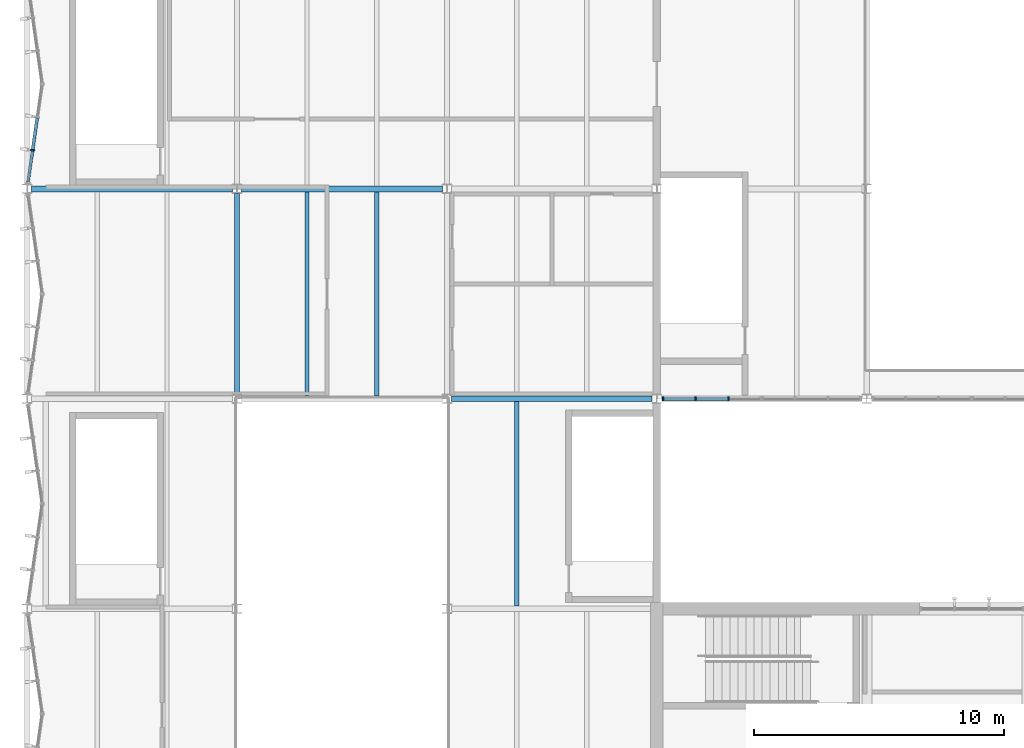
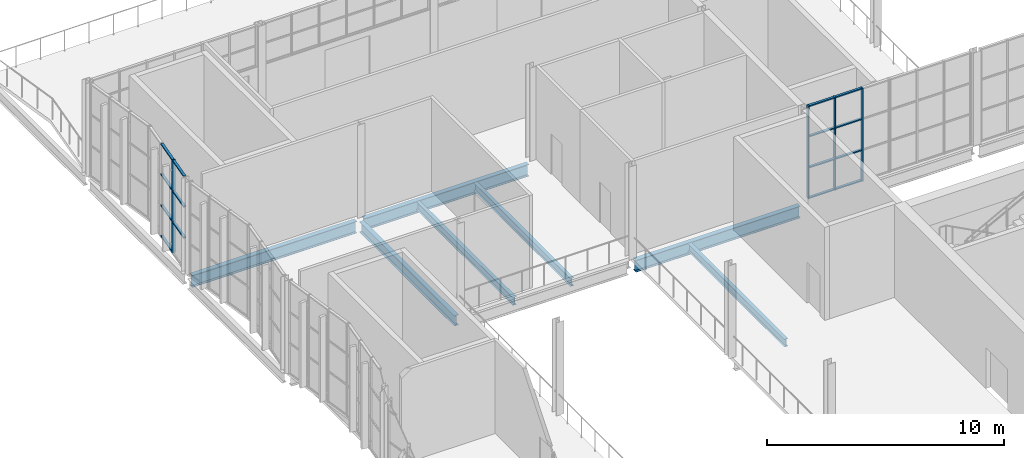
# One storey, part 36 of 116: 19 members, 7 beams, 2 elements without a shape of their own.
"""IFC4 building model written with IfcOpenShell, lengths in metres."""

from ifc_helpers import new_model, si_unit, direction, frame, origin, origin_2d, place, context, subcontext, project, spatial, rectangle, i_section, extrude, material, material_profile, profile_set, type_object, element, aggregate, save


model = new_model("IFC4")

# Units and contexts
model_context = context("Model", 3, precision=1e-05, world=origin(), true_north=direction((0.0, 1.0)))
body_context = subcontext(model_context, "Body", "Model", "MODEL_VIEW")
ifc_project = project(units=[si_unit("LENGTHUNIT", "METRE"), si_unit("AREAUNIT", "SQUARE_METRE"), si_unit("VOLUMEUNIT", "CUBIC_METRE"), si_unit("PLANEANGLEUNIT", "RADIAN"), si_unit("MASSUNIT", "GRAM", prefix="KILO")], contexts=[model_context])

# Site, building, storey
site_placement = place(None, origin())
site = spatial("IfcSite", under=ifc_project, at=site_placement, CompositionType="ELEMENT")
building_placement = place(site_placement, origin())
building = spatial("IfcBuilding", under=site, at=building_placement, Name="Ljudholm Concert House", CompositionType="ELEMENT")
storey_placement = place(building_placement, frame((0.0, 0.0, 10.199951171875)))
storey = spatial("IfcBuildingStorey", under=building, at=storey_placement, Name="L02", CompositionType="ELEMENT", Elevation=10.199951171875)

# Curtain wall, member
ifc_material_1 = material(Name="Aluminium curtain wall with impact-rated laminated glass", Category="aluminium")
curtain_wall_type = type_object("IfcCurtainWallType", Name="CURTAIN WALL 1400", PredefinedType="NOTDEFINED", material=ifc_material_1)
curtain_wall_1_placement = place(storey_placement, origin())
curtain_wall_1 = element("IfcCurtainWall", 1, at=curtain_wall_1_placement, inside=storey, type_object=curtain_wall_type, Name="Facade curtain wall", PredefinedType="NOTDEFINED")
ifc_material_2 = material(Name="Aluminium extrusion", Category="aluminium")
ifc_material_profile_1 = material_profile(ifc_material_2, rectangle(XDim=0.159912109375, YDim=0.06005859375, at=origin_2d()), Name="MULLION 60x160")
ifc_profile_set_1 = profile_set([ifc_material_profile_1], Name="Aluminium extrusion")
member_type_1 = type_object("IfcMemberType", Name="MULLION 60x160", PredefinedType="MULLION", material=ifc_profile_set_1)
member_1_placement = place(storey_placement, frame((4.220703125, 114.7451171875, 0.0), z_axis=(0.0, 0.0, 1.0), x_axis=(-0.989949493647, 0.141421356338, 0.0)))
member_1 = element("IfcMember", 2, at=member_1_placement, type_object=member_type_1, Name="Mullion", PredefinedType="MULLION", context=body_context, shape_type="SweptSolid", body=[
    extrude(rectangle(XDim=0.159912109375, YDim=0.06005859375, at=origin_2d()), origin(), (0.0, 0.0, 1.0), 4.800048828125),
])

# Curtain wall, members
curtain_wall_2_placement = place(storey_placement, origin())
curtain_wall_2 = element("IfcCurtainWall", 3, at=curtain_wall_2_placement, inside=storey, type_object=curtain_wall_type, Name="Winter garden curtain wall", PredefinedType="NOTDEFINED")
member_2_placement = place(storey_placement, frame((29.449951171875, 104.800048828125, 0.0), z_axis=(0.0, 0.0, 1.0), x_axis=(0.0, 1.0, 0.0)))
member_2 = element("IfcMember", 4, at=member_2_placement, type_object=member_type_1, Name="Mullion", PredefinedType="MULLION", context=body_context, shape_type="SweptSolid", body=[
    extrude(rectangle(XDim=0.159912109375, YDim=0.06005859375, at=origin_2d()), origin(), (0.0, 0.0, 1.0), 4.800048828125),
])
member_3_placement = place(storey_placement, frame((30.74658203125, 104.800048828125, 0.0), z_axis=(0.0, 0.0, 1.0), x_axis=(0.0, 1.0, 0.0)))
member_3 = element("IfcMember", 5, at=member_3_placement, type_object=member_type_1, Name="Mullion", PredefinedType="MULLION", context=body_context, shape_type="SweptSolid", body=[
    extrude(rectangle(XDim=0.159912109375, YDim=0.06005859375, at=origin_2d()), origin(), (0.0, 0.0, 1.0), 4.800048828125),
])
member_4_placement = place(storey_placement, frame((32.0732421875, 104.800048828125, 0.0), z_axis=(0.0, 0.0, 1.0), x_axis=(0.0, 1.0, 0.0)))
member_4 = element("IfcMember", 6, at=member_4_placement, type_object=member_type_1, Name="Mullion", PredefinedType="MULLION", context=body_context, shape_type="SweptSolid", body=[
    extrude(rectangle(XDim=0.159912109375, YDim=0.06005859375, at=origin_2d()), origin(), (0.0, 0.0, 1.0), 4.800048828125),
])

# Beams
ifc_material_3 = material(Name="Steel ASTM A992", Category="steel")
ifc_material_profile_2 = material_profile(ifc_material_3, i_section(OverallWidth=0.177734375, OverallDepth=0.406494140625, WebThickness=0.0078125, FlangeThickness=0.012939453125, FilletRadius=0.01025390625, at=origin_2d()), Name="W16X40")
ifc_profile_set_2 = profile_set([ifc_material_profile_2], Name="Steel ASTM A992")
beam_type_1 = type_object("IfcBeamType", Name="STEEL BEAM W16X40", PredefinedType="BEAM", material=ifc_profile_set_2)
for number, where, z_axis, x_axis, name in (
    (7, (15.199951171875, 104.91455078125, -0.383056640625), (0.0, 1.0, 0.0), (-1.0, 0.0, 0.0), "Secondary beam"),
    (8, (18.0, 104.91455078125, -0.383056640625), (0.0, 1.0, 0.0), (-1.0, 0.0, 0.0), "Secondary beam"),
    (9, (23.60009765625, 96.5146484375, -0.383056640625), (0.0, 1.0, 0.0), (-1.0, 0.0, 0.0), "Secondary beam"),
):
    element("IfcBeam", number, at=place(storey_placement, frame(where, z_axis=z_axis, x_axis=x_axis)), inside=storey, type_object=beam_type_1, Name=name, PredefinedType="BEAM", context=body_context, shape_type="SweptSolid", body=[
        extrude(i_section(OverallWidth=0.177734375, OverallDepth=0.406494140625, WebThickness=0.0078125, FlangeThickness=0.012939453125, FilletRadius=0.01025390625, at=origin_2d()), origin(), (0.0, 0.0, 1.0), 8.1708984375),
    ])
ifc_material_4 = material(Name="Steel ASTM A992", Category="steel")
ifc_material_profile_3 = material_profile(ifc_material_4, i_section(OverallWidth=0.209228515625, OverallDepth=0.533447265625, WebThickness=0.01025390625, FlangeThickness=0.015625, FilletRadius=0.012939453125, at=origin_2d()), Name="W21X62")
ifc_profile_set_3 = profile_set([ifc_material_profile_3], Name="Steel ASTM A992")
beam_type_2 = type_object("IfcBeamType", Name="STEEL BEAM W21X62", PredefinedType="BEAM", material=ifc_profile_set_3)
beam_1_placement = place(storey_placement, frame((12.39990234375, 104.986572265625, -0.446533203125), z_axis=(0.0, 1.0, 0.0), x_axis=(-1.0, 0.0, 0.0)))
element("IfcBeam", 10, at=beam_1_placement, inside=storey, type_object=beam_type_2, Name="Floor edge beam", PredefinedType="BEAM", context=body_context, shape_type="SweptSolid", body=[
    extrude(i_section(OverallWidth=0.209228515625, OverallDepth=0.533447265625, WebThickness=0.01025390625, FlangeThickness=0.015625, FilletRadius=0.012939453125, at=origin_2d()), origin(), (0.0, 0.0, 1.0), 8.02685546875),
])
ifc_material_5 = material(Name="Steel ASTM A992", Category="steel")
ifc_material_profile_4 = material_profile(ifc_material_5, i_section(OverallWidth=0.22900390625, OverallDepth=0.612060546875, WebThickness=0.011962890625, FlangeThickness=0.01953125, FilletRadius=0.0126953125, at=origin_2d()), Name="W24X84")
ifc_profile_set_4 = profile_set([ifc_material_profile_4], Name="Steel ASTM A992")
beam_type_3 = type_object("IfcBeamType", Name="STEEL BEAM W24X84", PredefinedType="BEAM", material=ifc_profile_set_4)
beam_2_placement = place(storey_placement, frame((20.986572265625, 104.800048828125, -0.486083984375), z_axis=(1.0, 0.0, 0.0), x_axis=(0.0, 1.0, 0.0)))
element("IfcBeam", 11, at=beam_2_placement, inside=storey, type_object=beam_type_3, Name="Floor girder", PredefinedType="BEAM", context=body_context, shape_type="SweptSolid", body=[
    extrude(i_section(OverallWidth=0.22900390625, OverallDepth=0.612060546875, WebThickness=0.011962890625, FlangeThickness=0.01953125, FilletRadius=0.0126953125, at=origin_2d()), origin(), (0.0, 0.0, 1.0), 8.02685546875),
])
for number, where, z_axis, x_axis, name in (
    (12, (4.186767578125, 113.199951171875, -0.486083984375), (1.0, 0.0, 0.0), (0.0, 1.0, 0.0), "Floor girder"),
    (13, (12.586669921875, 113.199951171875, -0.486083984375), (1.0, 0.0, 0.0), (0.0, 1.0, 0.0), "Floor girder"),
):
    element("IfcBeam", number, at=place(storey_placement, frame(where, z_axis=z_axis, x_axis=x_axis)), inside=storey, type_object=beam_type_3, Name=name, PredefinedType="BEAM", context=body_context, shape_type="SweptSolid", body=[
        extrude(i_section(OverallWidth=0.22900390625, OverallDepth=0.612060546875, WebThickness=0.011962890625, FlangeThickness=0.01953125, FilletRadius=0.0126953125, at=origin_2d()), origin(), (0.0, 0.0, 1.0), 8.026611328125),
    ])

# Member
ifc_material_6 = material(Name="Aluminium extrusion", Category="aluminium")
ifc_material_profile_5 = material_profile(ifc_material_6, rectangle(XDim=0.1201171875, YDim=0.06005859375, at=origin_2d()), Name="TRANSOM 60x120")
ifc_profile_set_5 = profile_set([ifc_material_profile_5], Name="Aluminium extrusion")
member_type_2 = type_object("IfcMemberType", Name="TRANSOM 60x120", PredefinedType="USERDEFINED", material=ifc_profile_set_5)
member_5_placement = place(storey_placement, frame((4.03955078125, 113.477294921875, 1.60009765625), z_axis=(0.141503330095, 0.989937779647, 0.0), x_axis=(-0.989937779647, 0.141503330095, 0.0)))
member_5 = element("IfcMember", 14, at=member_5_placement, type_object=member_type_2, Name="Transom", ObjectType="TRANSOM", PredefinedType="USERDEFINED", context=body_context, shape_type="SweptSolid", body=[
    extrude(rectangle(XDim=0.1201171875, YDim=0.06005859375, at=origin_2d()), origin(), (0.0, 0.0, 1.0), 1.2509765625),
])

member_6_placement = place(storey_placement, frame((4.03955078125, 113.477294921875, 3.199951171875), z_axis=(0.141503330095, 0.989937779647, 0.0), x_axis=(-0.989937779647, 0.141503330095, 0.0)))
member_6 = element("IfcMember", 15, at=member_6_placement, type_object=member_type_2, Name="Transom", ObjectType="TRANSOM", PredefinedType="USERDEFINED", context=body_context, shape_type="SweptSolid", body=[
    extrude(rectangle(XDim=0.1201171875, YDim=0.06005859375, at=origin_2d()), origin(), (0.0, 0.0, 1.0), 1.2509765625),
])

member_7_placement = place(storey_placement, frame((4.03955078125, 113.477294921875, 4.77001953125), z_axis=(0.141503330095, 0.989937779647, 0.0), x_axis=(-0.989937779647, 0.141503330095, 0.0)))
member_7 = element("IfcMember", 16, at=member_7_placement, type_object=member_type_2, Name="Transom", ObjectType="TRANSOM", PredefinedType="USERDEFINED", context=body_context, shape_type="SweptSolid", body=[
    extrude(rectangle(XDim=0.1201171875, YDim=0.06005859375, at=origin_2d()), origin(), (0.0, 0.0, 1.0), 1.2509765625),
])

member_8_placement = place(storey_placement, frame((4.22509765625, 114.77490234375, 0.030029296875), z_axis=(0.141421356237, 0.989949493661, 0.0), x_axis=(-0.989949493661, 0.141421356237, 0.0)))
member_8 = element("IfcMember", 17, at=member_8_placement, type_object=member_type_2, Name="Transom", ObjectType="TRANSOM", PredefinedType="USERDEFINED", context=body_context, shape_type="SweptSolid", body=[
    extrude(rectangle(XDim=0.1201171875, YDim=0.06005859375, at=origin_2d()), origin(), (0.0, 0.0, 1.0), 1.281005859375),
])

member_9_placement = place(storey_placement, frame((4.22509765625, 114.77490234375, 1.60009765625), z_axis=(0.141421356237, 0.989949493661, 0.0), x_axis=(-0.989949493661, 0.141421356237, 0.0)))
member_9 = element("IfcMember", 18, at=member_9_placement, type_object=member_type_2, Name="Transom", ObjectType="TRANSOM", PredefinedType="USERDEFINED", context=body_context, shape_type="SweptSolid", body=[
    extrude(rectangle(XDim=0.1201171875, YDim=0.06005859375, at=origin_2d()), origin(), (0.0, 0.0, 1.0), 1.281005859375),
])

member_10_placement = place(storey_placement, frame((4.22509765625, 114.77490234375, 3.199951171875), z_axis=(0.141421356237, 0.989949493661, 0.0), x_axis=(-0.989949493661, 0.141421356237, 0.0)))
member_10 = element("IfcMember", 19, at=member_10_placement, type_object=member_type_2, Name="Transom", ObjectType="TRANSOM", PredefinedType="USERDEFINED", context=body_context, shape_type="SweptSolid", body=[
    extrude(rectangle(XDim=0.1201171875, YDim=0.06005859375, at=origin_2d()), origin(), (0.0, 0.0, 1.0), 1.281005859375),
])

member_11_placement = place(storey_placement, frame((4.22509765625, 114.77490234375, 4.77001953125), z_axis=(0.141421356237, 0.989949493661, 0.0), x_axis=(-0.989949493661, 0.141421356237, 0.0)))
member_11 = element("IfcMember", 20, at=member_11_placement, type_object=member_type_2, Name="Transom", ObjectType="TRANSOM", PredefinedType="USERDEFINED", context=body_context, shape_type="SweptSolid", body=[
    extrude(rectangle(XDim=0.1201171875, YDim=0.06005859375, at=origin_2d()), origin(), (0.0, 0.0, 1.0), 1.281005859375),
])

aggregate(curtain_wall_1, [member_1, member_5, member_6, member_7, member_8, member_9, member_10, member_11])

member_12_placement = place(storey_placement, frame((29.47998046875, 104.800048828125, 0.030029296875), z_axis=(1.0, 0.0, 0.0), x_axis=(0.0, 1.0, 0.0)))
member_12 = element("IfcMember", 21, at=member_12_placement, type_object=member_type_2, Name="Transom", ObjectType="TRANSOM", PredefinedType="USERDEFINED", context=body_context, shape_type="SweptSolid", body=[
    extrude(rectangle(XDim=0.1201171875, YDim=0.06005859375, at=origin_2d()), origin(), (0.0, 0.0, 1.0), 1.236572265625),
])

member_13_placement = place(storey_placement, frame((29.47998046875, 104.800048828125, 1.60009765625), z_axis=(1.0, 0.0, 0.0), x_axis=(0.0, 1.0, 0.0)))
member_13 = element("IfcMember", 22, at=member_13_placement, type_object=member_type_2, Name="Transom", ObjectType="TRANSOM", PredefinedType="USERDEFINED", context=body_context, shape_type="SweptSolid", body=[
    extrude(rectangle(XDim=0.1201171875, YDim=0.06005859375, at=origin_2d()), origin(), (0.0, 0.0, 1.0), 1.236572265625),
])

member_14_placement = place(storey_placement, frame((29.47998046875, 104.800048828125, 3.199951171875), z_axis=(1.0, 0.0, 0.0), x_axis=(0.0, 1.0, 0.0)))
member_14 = element("IfcMember", 23, at=member_14_placement, type_object=member_type_2, Name="Transom", ObjectType="TRANSOM", PredefinedType="USERDEFINED", context=body_context, shape_type="SweptSolid", body=[
    extrude(rectangle(XDim=0.1201171875, YDim=0.06005859375, at=origin_2d()), origin(), (0.0, 0.0, 1.0), 1.236572265625),
])

member_15_placement = place(storey_placement, frame((29.47998046875, 104.800048828125, 4.77001953125), z_axis=(1.0, 0.0, 0.0), x_axis=(0.0, 1.0, 0.0)))
member_15 = element("IfcMember", 24, at=member_15_placement, type_object=member_type_2, Name="Transom", ObjectType="TRANSOM", PredefinedType="USERDEFINED", context=body_context, shape_type="SweptSolid", body=[
    extrude(rectangle(XDim=0.1201171875, YDim=0.06005859375, at=origin_2d()), origin(), (0.0, 0.0, 1.0), 1.236572265625),
])

member_16_placement = place(storey_placement, frame((30.776611328125, 104.800048828125, 0.030029296875), z_axis=(1.0, 0.0, 0.0), x_axis=(0.0, 1.0, 0.0)))
member_16 = element("IfcMember", 25, at=member_16_placement, type_object=member_type_2, Name="Transom", ObjectType="TRANSOM", PredefinedType="USERDEFINED", context=body_context, shape_type="SweptSolid", body=[
    extrude(rectangle(XDim=0.1201171875, YDim=0.06005859375, at=origin_2d()), origin(), (0.0, 0.0, 1.0), 1.2666015625),
])

member_17_placement = place(storey_placement, frame((30.776611328125, 104.800048828125, 1.60009765625), z_axis=(1.0, 0.0, 0.0), x_axis=(0.0, 1.0, 0.0)))
member_17 = element("IfcMember", 26, at=member_17_placement, type_object=member_type_2, Name="Transom", ObjectType="TRANSOM", PredefinedType="USERDEFINED", context=body_context, shape_type="SweptSolid", body=[
    extrude(rectangle(XDim=0.1201171875, YDim=0.06005859375, at=origin_2d()), origin(), (0.0, 0.0, 1.0), 1.2666015625),
])

member_18_placement = place(storey_placement, frame((30.776611328125, 104.800048828125, 3.199951171875), z_axis=(1.0, 0.0, 0.0), x_axis=(0.0, 1.0, 0.0)))
member_18 = element("IfcMember", 27, at=member_18_placement, type_object=member_type_2, Name="Transom", ObjectType="TRANSOM", PredefinedType="USERDEFINED", context=body_context, shape_type="SweptSolid", body=[
    extrude(rectangle(XDim=0.1201171875, YDim=0.06005859375, at=origin_2d()), origin(), (0.0, 0.0, 1.0), 1.2666015625),
])

member_19_placement = place(storey_placement, frame((30.776611328125, 104.800048828125, 4.77001953125), z_axis=(1.0, 0.0, 0.0), x_axis=(0.0, 1.0, 0.0)))
member_19 = element("IfcMember", 28, at=member_19_placement, type_object=member_type_2, Name="Transom", ObjectType="TRANSOM", PredefinedType="USERDEFINED", context=body_context, shape_type="SweptSolid", body=[
    extrude(rectangle(XDim=0.1201171875, YDim=0.06005859375, at=origin_2d()), origin(), (0.0, 0.0, 1.0), 1.2666015625),
])

aggregate(curtain_wall_2, [member_2, member_3, member_4, member_12, member_13, member_14, member_15, member_16, member_17, member_18, member_19])

save(model, "model.ifc")
